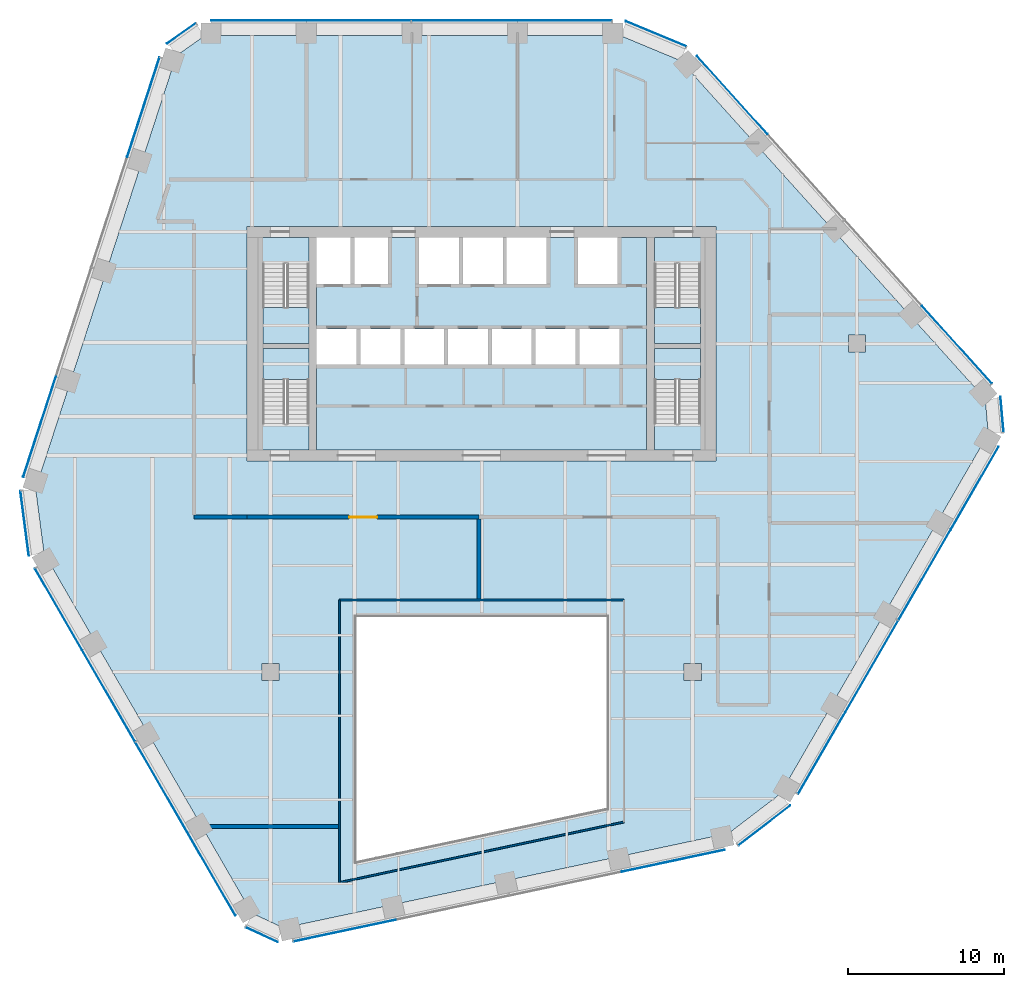
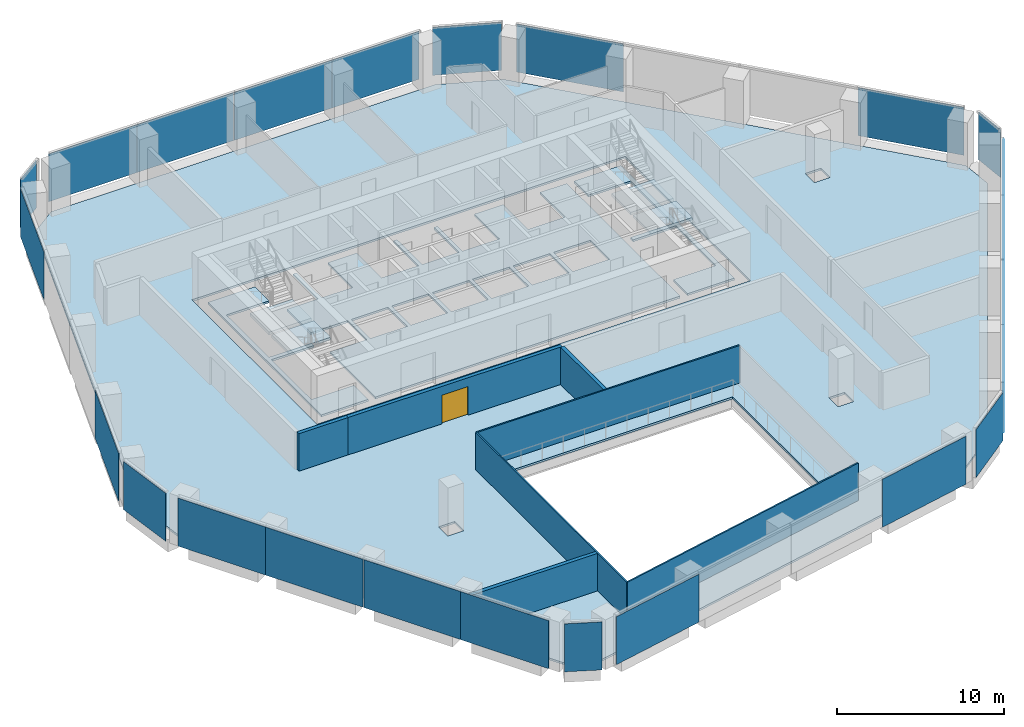
# One storey, part 10 of 16: 24 plates, 8 slabs, 7 walls, 1 door, 1 opening, 16 elements without a shape of their own.
"""IFC4 building model written with IfcOpenShell, lengths in metres."""

from ifc_helpers import new_model, si_unit, direction, frame, frame_2d, origin, origin_2d, place, context, subcontext, project, spatial, polyline, rectangle, outline, extrude, material, layer, layer_set, type_object, element, fill, aggregate, save


model = new_model("IFC4")

# Units and contexts
model_context = context("Model", 3, precision=1e-05, world=origin(), true_north=direction((0.0, 1.0)))
body_context = subcontext(model_context, "Body", "Model", "MODEL_VIEW")
ifc_project = project(units=[si_unit("LENGTHUNIT", "METRE"), si_unit("AREAUNIT", "SQUARE_METRE"), si_unit("VOLUMEUNIT", "CUBIC_METRE"), si_unit("PLANEANGLEUNIT", "RADIAN"), si_unit("MASSUNIT", "GRAM", prefix="KILO")], contexts=[model_context])

# Site, building, storey
site_placement = place(None, origin())
site = spatial("IfcSite", under=ifc_project, at=site_placement, CompositionType="ELEMENT")
building_placement = place(site_placement, origin())
building = spatial("IfcBuilding", under=site, at=building_placement, Name="Isthmus Gate Tower", CompositionType="ELEMENT")
storey_placement = place(building_placement, frame((0.0, 0.0, 192.699951171875)))
storey = spatial("IfcBuildingStorey", under=building, at=storey_placement, Name="L48", CompositionType="ELEMENT", Elevation=192.699951171875)

# Slabs
ifc_material_1 = material(Name="Concrete f'c 40 MPa", Category="concrete")
ifc_layer_1 = layer(ifc_material_1, 0.14990234375)
ifc_layer_set_1 = layer_set([ifc_layer_1], Name="COMPOSITE FLOOR SLAB 150")
slab_type_1 = type_object("IfcSlabType", Name="COMPOSITE FLOOR SLAB 150", PredefinedType="FLOOR", material=ifc_layer_set_1)
slab_1_placement = place(storey_placement, frame((0.0, 0.0, -0.14990234375)))
element("IfcSlab", 1, at=slab_1_placement, inside=storey, type_object=slab_type_1, Name="str-slab-L48-1", PredefinedType="FLOOR", context=body_context, shape_type="SweptSolid", body=[
    extrude(outline(polyline([(12.72802734375, 25.599365234375), (32.21044921875, 3.9619140625), (32.410400390625, 1.736083984375), (19.116455078125, -21.289306640625), (15.8056640625, -23.822509765625), (-12.674072265625, -29.876220703125), (-14.701416015625, -28.936279296875), (-27.995361328125, -5.91064453125), (-28.53369140625, -1.77685546875), (-19.536376953125, 25.9140625), (-17.708740234375, 27.199951171875), (8.87890625, 27.199951171875), (12.72802734375, 25.599365234375)]), holes=[polyline([(-8.0, -10.0), (-8.0, -25.611083984375), (8.0, -22.210205078125), (8.0, -10.0), (-8.0, -10.0)]), polyline([(-14.050048828125, -12.949951171875), (-14.050048828125, -14.050048828125), (-12.949951171875, -14.050048828125), (-12.949951171875, -12.949951171875), (-14.050048828125, -12.949951171875)]), polyline([(14.050048828125, -12.949951171875), (12.949951171875, -12.949951171875), (12.949951171875, -14.050048828125), (14.050048828125, -14.050048828125), (14.050048828125, -12.949951171875)]), polyline([(-15.0, 15.0), (-15.0, 0.0), (15.0, 0.0), (15.0, 15.0), (-15.0, 15.0)]), polyline([(24.550048828125, 6.949951171875), (24.550048828125, 8.050048828125), (23.449951171875, 8.050048828125), (23.449951171875, 6.949951171875), (24.550048828125, 6.949951171875)])]), origin(), (0.0, 0.0, 1.0), 0.14990234375),
])
ifc_material_2 = material(Name="Concrete f'c 40 MPa", Category="concrete")
ifc_layer_2 = layer(ifc_material_2, 0.14990234375)
ifc_layer_set_2 = layer_set([ifc_layer_2], Name="CORE FLOOR SLAB 150")
slab_type_2 = type_object("IfcSlabType", Name="CORE FLOOR SLAB 150", PredefinedType="FLOOR", material=ifc_layer_set_2)
slab_2_placement = place(storey_placement, frame((0.0, 0.0, -0.14990234375)))
element("IfcSlab", 2, at=slab_2_placement, inside=storey, type_object=slab_type_2, Name="L48 core floor", PredefinedType="FLOOR", context=body_context, shape_type="SweptSolid", body=[
    extrude(outline(polyline([(-11.050048828125, 0.699951171875), (-11.050048828125, 2.402099609375), (-14.0, 2.402099609375), (-14.0, 7.199951171875), (-11.050048828125, 7.199951171875), (-11.050048828125, 7.5), (-14.0, 7.5), (-14.0, 12.597900390625), (-11.050048828125, 12.597900390625), (-11.050048828125, 14.300048828125), (-14.300048828125, 14.300048828125), (-14.300048828125, 0.699951171875), (-11.050048828125, 0.699951171875)])), origin(), (0.0, 0.0, 1.0), 0.14990234375),
])
slab_3_placement = place(storey_placement, frame((0.0, 0.0, -0.14990234375)))
element("IfcSlab", 3, at=slab_3_placement, inside=storey, type_object=slab_type_2, Name="L48 core floor", PredefinedType="FLOOR", context=body_context, shape_type="SweptSolid", body=[
    extrude(outline(polyline([(10.550048828125, 14.300048828125), (8.699951171875, 14.300048828125), (8.699951171875, 11.300048828125), (6.14990234375, 11.300048828125), (6.14990234375, 14.300048828125), (4.14990234375, 14.300048828125), (4.14990234375, 11.300048828125), (1.60009765625, 11.300048828125), (1.60009765625, 14.300048828125), (1.35009765625, 14.300048828125), (1.35009765625, 11.300048828125), (-1.199951171875, 11.300048828125), (-1.199951171875, 14.300048828125), (-1.449951171875, 14.300048828125), (-1.449951171875, 11.300048828125), (-4.0, 11.300048828125), (-4.0, 14.300048828125), (-6.0, 14.300048828125), (-6.0, 11.300048828125), (-8.14990234375, 11.300048828125), (-8.14990234375, 14.300048828125), (-8.39990234375, 14.300048828125), (-8.39990234375, 11.300048828125), (-10.550048828125, 11.300048828125), (-10.550048828125, 8.449951171875), (-8.0, 8.449951171875), (-8.0, 6.14990234375), (-10.550048828125, 6.14990234375), (-10.550048828125, 0.699951171875), (10.550048828125, 0.699951171875), (10.550048828125, 14.300048828125)]), holes=[polyline([(-5.199951171875, 8.449951171875), (-5.199951171875, 6.14990234375), (-7.75, 6.14990234375), (-7.75, 8.449951171875), (-5.199951171875, 8.449951171875)]), polyline([(-2.39990234375, 8.449951171875), (-2.39990234375, 6.14990234375), (-4.949951171875, 6.14990234375), (-4.949951171875, 8.449951171875), (-2.39990234375, 8.449951171875)]), polyline([(0.39990234375, 8.449951171875), (0.39990234375, 6.14990234375), (-2.14990234375, 6.14990234375), (-2.14990234375, 8.449951171875), (0.39990234375, 8.449951171875)]), polyline([(3.199951171875, 8.449951171875), (3.199951171875, 6.14990234375), (0.64990234375, 6.14990234375), (0.64990234375, 8.449951171875), (3.199951171875, 8.449951171875)]), polyline([(6.0, 8.449951171875), (6.0, 6.14990234375), (3.449951171875, 6.14990234375), (3.449951171875, 8.449951171875), (6.0, 8.449951171875)]), polyline([(8.800048828125, 8.449951171875), (8.800048828125, 6.14990234375), (6.25, 6.14990234375), (6.25, 8.449951171875), (8.800048828125, 8.449951171875)])]), origin(), (0.0, 0.0, 1.0), 0.14990234375),
])
slab_4_placement = place(storey_placement, frame((0.0, 0.0, -0.14990234375)))
element("IfcSlab", 4, at=slab_4_placement, inside=storey, type_object=slab_type_2, Name="L48 core floor", PredefinedType="FLOOR", context=body_context, shape_type="SweptSolid", body=[
    extrude(outline(polyline([(11.050048828125, 14.300048828125), (11.050048828125, 12.597900390625), (14.0, 12.597900390625), (14.0, 7.5), (11.050048828125, 7.5), (11.050048828125, 7.199951171875), (14.0, 7.199951171875), (14.0, 2.402099609375), (11.050048828125, 2.402099609375), (11.050048828125, 0.699951171875), (14.300048828125, 0.699951171875), (14.300048828125, 14.300048828125), (11.050048828125, 14.300048828125)])), origin(), (0.0, 0.0, 1.0), 0.14990234375),
])

# Curtain wall, plates
ifc_material_3 = material(Name="Aluminium, pale champagne anodised", Category="aluminium")
ifc_layer_3 = layer(ifc_material_3, 0.199951171875)
ifc_layer_set_3 = layer_set([ifc_layer_3], Name="CW-1 UNITISED CURTAIN WALL 200 DEEP")
curtain_wall_type = type_object("IfcCurtainWallType", Name="CW-1 UNITISED CURTAIN WALL 200 DEEP", PredefinedType="NOTDEFINED", material=ifc_layer_set_3)
curtain_wall_1_placement = place(storey_placement, origin())
curtain_wall_1 = element("IfcCurtainWall", 5, at=curtain_wall_1_placement, inside=storey, type_object=curtain_wall_type, Name="CW-1 N L48", PredefinedType="NOTDEFINED")
ifc_material_4 = material(Name="Laminated low-iron glass, pale blue tint", Category="glass")
ifc_layer_4 = layer(ifc_material_4, 0.035888671875)
ifc_layer_set_4 = layer_set([ifc_layer_4], Name="CW-1 CLEAR GLASS LITE 36")
plate_type = type_object("IfcPlateType", Name="CW-1 CLEAR GLASS LITE 36", PredefinedType="CURTAIN_PANEL", material=ifc_layer_set_4)
plate_1_placement = place(storey_placement, frame((5.30859375, 28.181884765625, 0.0), z_axis=(0.0, 0.0, 1.0), x_axis=(-1.0, 0.0, 0.0)))
plate_1 = element("IfcPlate", 6, at=plate_1_placement, type_object=plate_type, Name="CW-1 glass lite", PredefinedType="CURTAIN_PANEL", context=body_context, shape_type="SweptSolid", body=[
    extrude(rectangle(XDim=6.0400390625, YDim=0.035888671875, at=origin_2d()), origin(), (0.0, 0.0, 1.0), 3.510009765625),
])
plate_2_placement = place(storey_placement, frame((-1.086669921875, 28.181884765625, 0.0), z_axis=(0.0, 0.0, 1.0), x_axis=(-1.0, 0.0, 0.0)))
plate_2 = element("IfcPlate", 7, at=plate_2_placement, type_object=plate_type, Name="CW-1 glass lite", PredefinedType="CURTAIN_PANEL", context=body_context, shape_type="SweptSolid", body=[
    extrude(rectangle(XDim=6.750244140625, YDim=0.035888671875, at=origin_2d()), origin(), (0.0, 0.0, 1.0), 3.510009765625),
])
plate_3_placement = place(storey_placement, frame((-7.86669921875, 28.181884765625, 0.0), z_axis=(0.0, 0.0, 1.0), x_axis=(-1.0, 0.0, 0.0)))
plate_3 = element("IfcPlate", 8, at=plate_3_placement, type_object=plate_type, Name="CW-1 glass lite", PredefinedType="CURTAIN_PANEL", context=body_context, shape_type="SweptSolid", body=[
    extrude(rectangle(XDim=6.690185546875, YDim=0.035888671875, at=origin_2d()), origin(), (0.0, 0.0, 1.0), 3.510009765625),
])
plate_4_placement = place(storey_placement, frame((-14.261962890625, 28.181884765625, 0.0), z_axis=(0.0, 0.0, 1.0), x_axis=(-1.0, 0.0, 0.0)))
plate_4 = element("IfcPlate", 9, at=plate_4_placement, type_object=plate_type, Name="CW-1 glass lite", PredefinedType="CURTAIN_PANEL", context=body_context, shape_type="SweptSolid", body=[
    extrude(rectangle(XDim=6.10009765625, YDim=0.035888671875, at=origin_2d()), origin(), (0.0, 0.0, 1.0), 3.510009765625),
])
aggregate(curtain_wall_1, [plate_1, plate_2, plate_3, plate_4])

# Curtain wall, plate
curtain_wall_2_placement = place(storey_placement, origin())
curtain_wall_2 = element("IfcCurtainWall", 10, at=curtain_wall_2_placement, inside=storey, type_object=curtain_wall_type, Name="CW-1 N-NW L48", PredefinedType="NOTDEFINED")
plate_5_placement = place(storey_placement, frame((-19.2119140625, 27.343017578125, 0.0), z_axis=(0.0, 0.0, 1.0), x_axis=(-0.81785959165, -0.57541783805, 0.0)))
plate_5 = element("IfcPlate", 11, at=plate_5_placement, type_object=plate_type, Name="CW-1 glass lite", PredefinedType="CURTAIN_PANEL", context=body_context, shape_type="SweptSolid", body=[
    extrude(rectangle(XDim=2.258544921875, YDim=0.035888671875, at=origin_2d()), origin(), (0.0, 0.0, 1.0), 3.510009765625),
])
aggregate(curtain_wall_2, [plate_5])

# Curtain wall, plates
curtain_wall_3_placement = place(storey_placement, origin())
curtain_wall_3 = element("IfcCurtainWall", 12, at=curtain_wall_3_placement, inside=storey, type_object=curtain_wall_type, Name="CW-1 NW L48", PredefinedType="NOTDEFINED")
plate_6_placement = place(storey_placement, frame((-21.6396484375, 22.619140625, 0.0), z_axis=(0.0, 0.0, 1.0), x_axis=(-0.309016994375, -0.951056516295, 0.0)))
plate_6 = element("IfcPlate", 13, at=plate_6_placement, type_object=plate_type, Name="CW-1 glass lite", PredefinedType="CURTAIN_PANEL", context=body_context, shape_type="SweptSolid", body=[
    extrude(rectangle(XDim=6.680908203125, YDim=0.035888671875, at=origin_2d()), origin(), (0.0, 0.0, 1.0), 3.510009765625),
])
plate_7_placement = place(storey_placement, frame((-28.281005859375, 2.178466796875, 0.0), z_axis=(0.0, 0.0, 1.0), x_axis=(-0.309016994375, -0.951056516295, 0.0)))
plate_7 = element("IfcPlate", 14, at=plate_7_placement, type_object=plate_type, Name="CW-1 glass lite", PredefinedType="CURTAIN_PANEL", context=body_context, shape_type="SweptSolid", body=[
    extrude(rectangle(XDim=6.74072265625, YDim=0.035888671875, at=origin_2d()), origin(), (0.0, 0.0, 1.0), 3.510009765625),
])
aggregate(curtain_wall_3, [plate_6, plate_7])

# Curtain wall, plate
curtain_wall_4_placement = place(storey_placement, origin())
curtain_wall_4 = element("IfcCurtainWall", 15, at=curtain_wall_4_placement, inside=storey, type_object=curtain_wall_type, Name="CW-1 NW-SW L48", PredefinedType="NOTDEFINED")
plate_8_placement = place(storey_placement, frame((-29.234619140625, -3.9990234375, 0.0), z_axis=(0.0, 0.0, 1.0), x_axis=(0.129164534, -0.991623175988, 0.0)))
plate_8 = element("IfcPlate", 16, at=plate_8_placement, type_object=plate_type, Name="CW-1 glass lite", PredefinedType="CURTAIN_PANEL", context=body_context, shape_type="SweptSolid", body=[
    extrude(rectangle(XDim=4.181396484375, YDim=0.035888671875, at=origin_2d()), origin(), (0.0, 0.0, 1.0), 3.510009765625),
])
aggregate(curtain_wall_4, [plate_8])

# Curtain wall, plates
curtain_wall_5_placement = place(storey_placement, origin())
curtain_wall_5 = element("IfcCurtainWall", 17, at=curtain_wall_5_placement, inside=storey, type_object=curtain_wall_type, Name="CW-1 SW L48", PredefinedType="NOTDEFINED")
plate_9_placement = place(storey_placement, frame((-27.060546875, -9.49365234375, 0.0), z_axis=(0.0, 0.0, 1.0), x_axis=(0.5, -0.866025403784, 0.0)))
plate_9 = element("IfcPlate", 18, at=plate_9_placement, type_object=plate_type, Name="CW-1 glass lite", PredefinedType="CURTAIN_PANEL", context=body_context, shape_type="SweptSolid", body=[
    extrude(rectangle(XDim=6.0400390625, YDim=0.035888671875, at=origin_2d()), origin(), (0.0, 0.0, 1.0), 3.510009765625),
])
plate_10_placement = place(storey_placement, frame((-23.863037109375, -15.031982421875, 0.0), z_axis=(0.0, 0.0, 1.0), x_axis=(0.5, -0.866025403784, 0.0)))
plate_10 = element("IfcPlate", 19, at=plate_10_placement, type_object=plate_type, Name="CW-1 glass lite", PredefinedType="CURTAIN_PANEL", context=body_context, shape_type="SweptSolid", body=[
    extrude(rectangle(XDim=6.750244140625, YDim=0.035888671875, at=origin_2d()), origin(), (0.0, 0.0, 1.0), 3.510009765625),
])
plate_11_placement = place(storey_placement, frame((-20.472900390625, -20.90380859375, 0.0), z_axis=(0.0, 0.0, 1.0), x_axis=(0.5, -0.866025403784, 0.0)))
plate_11 = element("IfcPlate", 20, at=plate_11_placement, type_object=plate_type, Name="CW-1 glass lite", PredefinedType="CURTAIN_PANEL", context=body_context, shape_type="SweptSolid", body=[
    extrude(rectangle(XDim=6.690185546875, YDim=0.035888671875, at=origin_2d()), origin(), (0.0, 0.0, 1.0), 3.510009765625),
])
plate_12_placement = place(storey_placement, frame((-17.275390625, -26.442138671875, 0.0), z_axis=(0.0, 0.0, 1.0), x_axis=(0.5, -0.866025403784, 0.0)))
plate_12 = element("IfcPlate", 21, at=plate_12_placement, type_object=plate_type, Name="CW-1 glass lite", PredefinedType="CURTAIN_PANEL", context=body_context, shape_type="SweptSolid", body=[
    extrude(rectangle(XDim=6.10009765625, YDim=0.035888671875, at=origin_2d()), origin(), (0.0, 0.0, 1.0), 3.510009765625),
])
aggregate(curtain_wall_5, [plate_9, plate_10, plate_11, plate_12])

# Curtain wall, plate
curtain_wall_6_placement = place(storey_placement, origin())
curtain_wall_6 = element("IfcCurtainWall", 22, at=curtain_wall_6_placement, inside=storey, type_object=curtain_wall_type, Name="CW-1 SW-S L48", PredefinedType="NOTDEFINED")
plate_13_placement = place(storey_placement, frame((-14.07373046875, -30.3095703125, 0.0), z_axis=(0.0, 0.0, 1.0), x_axis=(0.907256261367, -0.420578264073, 0.0)))
plate_13 = element("IfcPlate", 23, at=plate_13_placement, type_object=plate_type, Name="CW-1 glass lite", PredefinedType="CURTAIN_PANEL", context=body_context, shape_type="SweptSolid", body=[
    extrude(rectangle(XDim=2.258544921875, YDim=0.035888671875, at=origin_2d()), origin(), (0.0, 0.0, 1.0), 3.510009765625),
])
aggregate(curtain_wall_6, [plate_13])

# Curtain wall, plates
curtain_wall_7_placement = place(storey_placement, origin())
curtain_wall_7 = element("IfcCurtainWall", 24, at=curtain_wall_7_placement, inside=storey, type_object=curtain_wall_type, Name="CW-1 S L48", PredefinedType="NOTDEFINED")
plate_14_placement = place(storey_placement, frame((-8.768798828125, -30.050048828125, 0.0), z_axis=(0.0, 0.0, 1.0), x_axis=(0.978147600734, 0.207911690818, 0.0)))
plate_14 = element("IfcPlate", 25, at=plate_14_placement, type_object=plate_type, Name="CW-1 glass lite", PredefinedType="CURTAIN_PANEL", context=body_context, shape_type="SweptSolid", body=[
    extrude(rectangle(XDim=6.680908203125, YDim=0.035888671875, at=origin_2d()), origin(), (0.0, 0.0, 1.0), 3.510009765625),
])
plate_15_placement = place(storey_placement, frame((12.25390625, -25.58154296875, 0.0), z_axis=(0.0, 0.0, 1.0), x_axis=(0.978147600734, 0.207911690818, 0.0)))
plate_15 = element("IfcPlate", 26, at=plate_15_placement, type_object=plate_type, Name="CW-1 glass lite", PredefinedType="CURTAIN_PANEL", context=body_context, shape_type="SweptSolid", body=[
    extrude(rectangle(XDim=6.74072265625, YDim=0.035888671875, at=origin_2d()), origin(), (0.0, 0.0, 1.0), 3.510009765625),
])
aggregate(curtain_wall_7, [plate_14, plate_15])

# Curtain wall, plate
curtain_wall_8_placement = place(storey_placement, origin())
curtain_wall_8 = element("IfcCurtainWall", 27, at=curtain_wall_8_placement, inside=storey, type_object=curtain_wall_type, Name="CW-1 S-SE L48", PredefinedType="NOTDEFINED")
plate_16_placement = place(storey_placement, frame((18.08056640625, -23.318359375, 0.0), z_axis=(0.0, 0.0, 1.0), x_axis=(0.794188594387, 0.607671355706, 0.0)))
plate_16 = element("IfcPlate", 28, at=plate_16_placement, type_object=plate_type, Name="CW-1 glass lite", PredefinedType="CURTAIN_PANEL", context=body_context, shape_type="SweptSolid", body=[
    extrude(rectangle(XDim=4.181396484375, YDim=0.035888671875, at=origin_2d()), origin(), (0.0, 0.0, 1.0), 3.510009765625),
])
aggregate(curtain_wall_8, [plate_16])

# Curtain wall, plates
curtain_wall_9_placement = place(storey_placement, origin())
curtain_wall_9 = element("IfcCurtainWall", 29, at=curtain_wall_9_placement, inside=storey, type_object=curtain_wall_type, Name="CW-1 SE L48", PredefinedType="NOTDEFINED")
plate_17_placement = place(storey_placement, frame((21.752197265625, -18.688232421875, 0.0), z_axis=(0.0, 0.0, 1.0), x_axis=(0.5, 0.866025403784, 0.0)))
plate_17 = element("IfcPlate", 30, at=plate_17_placement, type_object=plate_type, Name="CW-1 glass lite", PredefinedType="CURTAIN_PANEL", context=body_context, shape_type="SweptSolid", body=[
    extrude(rectangle(XDim=6.0400390625, YDim=0.035888671875, at=origin_2d()), origin(), (0.0, 0.0, 1.0), 3.510009765625),
])
plate_18_placement = place(storey_placement, frame((24.94970703125, -13.14990234375, 0.0), z_axis=(0.0, 0.0, 1.0), x_axis=(0.5, 0.866025403784, 0.0)))
plate_18 = element("IfcPlate", 31, at=plate_18_placement, type_object=plate_type, Name="CW-1 glass lite", PredefinedType="CURTAIN_PANEL", context=body_context, shape_type="SweptSolid", body=[
    extrude(rectangle(XDim=6.750244140625, YDim=0.035888671875, at=origin_2d()), origin(), (0.0, 0.0, 1.0), 3.510009765625),
])
plate_19_placement = place(storey_placement, frame((28.339599609375, -7.278076171875, 0.0), z_axis=(0.0, 0.0, 1.0), x_axis=(0.5, 0.866025403784, 0.0)))
plate_19 = element("IfcPlate", 32, at=plate_19_placement, type_object=plate_type, Name="CW-1 glass lite", PredefinedType="CURTAIN_PANEL", context=body_context, shape_type="SweptSolid", body=[
    extrude(rectangle(XDim=6.690185546875, YDim=0.035888671875, at=origin_2d()), origin(), (0.0, 0.0, 1.0), 3.510009765625),
])
plate_20_placement = place(storey_placement, frame((31.537353515625, -1.73974609375, 0.0), z_axis=(0.0, 0.0, 1.0), x_axis=(0.5, 0.866025403784, 0.0)))
plate_20 = element("IfcPlate", 33, at=plate_20_placement, type_object=plate_type, Name="CW-1 glass lite", PredefinedType="CURTAIN_PANEL", context=body_context, shape_type="SweptSolid", body=[
    extrude(rectangle(XDim=6.10009765625, YDim=0.035888671875, at=origin_2d()), origin(), (0.0, 0.0, 1.0), 3.510009765625),
])
aggregate(curtain_wall_9, [plate_17, plate_18, plate_19, plate_20])

# Curtain wall, plate
curtain_wall_10_placement = place(storey_placement, origin())
curtain_wall_10 = element("IfcCurtainWall", 34, at=curtain_wall_10_placement, inside=storey, type_object=curtain_wall_type, Name="CW-1 SE-NE L48", PredefinedType="NOTDEFINED")
plate_21_placement = place(storey_placement, frame((33.285888671875, 2.966552734375, 0.0), z_axis=(0.0, 0.0, 1.0), x_axis=(-0.089396669717, 0.995996102123, 0.0)))
plate_21 = element("IfcPlate", 35, at=plate_21_placement, type_object=plate_type, Name="CW-1 glass lite", PredefinedType="CURTAIN_PANEL", context=body_context, shape_type="SweptSolid", body=[
    extrude(rectangle(XDim=2.258544921875, YDim=0.035888671875, at=origin_2d()), origin(), (0.0, 0.0, 1.0), 3.510009765625),
])
aggregate(curtain_wall_10, [plate_21])

# Curtain wall, plates
curtain_wall_11_placement = place(storey_placement, origin())
curtain_wall_11 = element("IfcCurtainWall", 36, at=curtain_wall_11_placement, inside=storey, type_object=curtain_wall_type, Name="CW-1 NE L48", PredefinedType="NOTDEFINED")
plate_22_placement = place(storey_placement, frame((30.408447265625, 7.430908203125, 0.0), z_axis=(0.0, 0.0, 1.0), x_axis=(-0.669130606359, 0.743144825477, 0.0)))
plate_22 = element("IfcPlate", 37, at=plate_22_placement, type_object=plate_type, Name="CW-1 glass lite", PredefinedType="CURTAIN_PANEL", context=body_context, shape_type="SweptSolid", body=[
    extrude(rectangle(XDim=6.680908203125, YDim=0.035888671875, at=origin_2d()), origin(), (0.0, 0.0, 1.0), 3.510009765625),
])
plate_23_placement = place(storey_placement, frame((16.02734375, 23.40283203125, 0.0), z_axis=(0.0, 0.0, 1.0), x_axis=(-0.669130606359, 0.743144825477, 0.0)))
plate_23 = element("IfcPlate", 38, at=plate_23_placement, type_object=plate_type, Name="CW-1 glass lite", PredefinedType="CURTAIN_PANEL", context=body_context, shape_type="SweptSolid", body=[
    extrude(rectangle(XDim=6.74072265625, YDim=0.035888671875, at=origin_2d()), origin(), (0.0, 0.0, 1.0), 3.510009765625),
])
aggregate(curtain_wall_11, [plate_22, plate_23])

# Curtain wall, plate
curtain_wall_12_placement = place(storey_placement, origin())
curtain_wall_12 = element("IfcCurtainWall", 39, at=curtain_wall_12_placement, inside=storey, type_object=curtain_wall_type, Name="CW-1 NE-N L48", PredefinedType="NOTDEFINED")
plate_24_placement = place(storey_placement, frame((11.154052734375, 27.3173828125, 0.0), z_axis=(0.0, 0.0, 1.0), x_axis=(-0.923353128387, 0.383951820282, 0.0)))
plate_24 = element("IfcPlate", 40, at=plate_24_placement, type_object=plate_type, Name="CW-1 glass lite", PredefinedType="CURTAIN_PANEL", context=body_context, shape_type="SweptSolid", body=[
    extrude(rectangle(XDim=4.181396484375, YDim=0.035888671875, at=origin_2d()), origin(), (0.0, 0.0, 1.0), 3.510009765625),
])
aggregate(curtain_wall_12, [plate_24])

# Stair, slab
ifc_material_5 = material(Name="Concrete f'c 40 MPa", Category="concrete")
stair_type = type_object("IfcStairType", Name="CORE STAIR 22 RISERS", PredefinedType="HALF_TURN_STAIR", material=ifc_material_5)
stair_1_placement = place(storey_placement, origin())
stair_1 = element("IfcStair", 41, at=stair_1_placement, inside=storey, type_object=stair_type, Name="L48 Exit Stair 1", PredefinedType="HALF_TURN_STAIR")
ifc_material_6 = material(Name="Concrete f'c 40 MPa", Category="concrete")
ifc_layer_5 = layer(ifc_material_6, 0.199951171875)
ifc_layer_set_5 = layer_set([ifc_layer_5])
slab_type_3 = type_object("IfcSlabType", Name="STAIR LANDING RC 200", PredefinedType="LANDING", material=ifc_layer_set_5)
slab_5_placement = place(storey_placement, frame((0.0, 0.0, 1.625)))
slab_5 = element("IfcSlab", 42, at=slab_5_placement, type_object=slab_type_3, Name="ST1 landing 1", PredefinedType="LANDING", context=body_context, shape_type="SweptSolid", body=[
    extrude(outline(polyline([(-14.0, 9.800048828125), (-14.0, 7.5), (-11.050048828125, 7.5), (-11.050048828125, 9.800048828125), (-14.0, 9.800048828125)])), origin(), (0.0, 0.0, 1.0), 0.199951171875),
])
aggregate(stair_1, [slab_5])

stair_2_placement = place(storey_placement, origin())
stair_2 = element("IfcStair", 43, at=stair_2_placement, inside=storey, type_object=stair_type, Name="L48 Exit Stair 2", PredefinedType="HALF_TURN_STAIR")
slab_6_placement = place(storey_placement, frame((0.0, 0.0, 1.625)))
slab_6 = element("IfcSlab", 44, at=slab_6_placement, type_object=slab_type_3, Name="ST2 landing 1", PredefinedType="LANDING", context=body_context, shape_type="SweptSolid", body=[
    extrude(outline(polyline([(11.050048828125, 9.800048828125), (11.050048828125, 7.5), (14.0, 7.5), (14.0, 9.800048828125), (11.050048828125, 9.800048828125)])), origin(), (0.0, 0.0, 1.0), 0.199951171875),
])
aggregate(stair_2, [slab_6])

stair_3_placement = place(storey_placement, origin())
stair_3 = element("IfcStair", 45, at=stair_3_placement, inside=storey, type_object=stair_type, Name="L48 Exit Stair 7", PredefinedType="HALF_TURN_STAIR")
slab_7_placement = place(storey_placement, frame((0.0, 0.0, 1.625)))
slab_7 = element("IfcSlab", 46, at=slab_7_placement, type_object=slab_type_3, Name="ST7 landing 1", PredefinedType="LANDING", context=body_context, shape_type="SweptSolid", body=[
    extrude(outline(polyline([(-11.050048828125, 5.199951171875), (-11.050048828125, 7.199951171875), (-14.0, 7.199951171875), (-14.0, 5.199951171875), (-11.050048828125, 5.199951171875)])), origin(), (0.0, 0.0, 1.0), 0.199951171875),
])
aggregate(stair_3, [slab_7])

stair_4_placement = place(storey_placement, origin())
stair_4 = element("IfcStair", 47, at=stair_4_placement, inside=storey, type_object=stair_type, Name="L48 Exit Stair 8", PredefinedType="HALF_TURN_STAIR")
slab_8_placement = place(storey_placement, frame((0.0, 0.0, 1.625)))
slab_8 = element("IfcSlab", 48, at=slab_8_placement, type_object=slab_type_3, Name="ST8 landing 1", PredefinedType="LANDING", context=body_context, shape_type="SweptSolid", body=[
    extrude(outline(polyline([(14.0, 5.199951171875), (14.0, 7.199951171875), (11.050048828125, 7.199951171875), (11.050048828125, 5.199951171875), (14.0, 5.199951171875)])), origin(), (0.0, 0.0, 1.0), 0.199951171875),
])
aggregate(stair_4, [slab_8])

# Wall, opening, door
ifc_material_7 = material(Name="Double-leaf acoustic stud wall, fire-rated", Category="gypsum")
ifc_layer_6 = layer(ifc_material_7, 0.25)
ifc_layer_set_6 = layer_set([ifc_layer_6], Name="ACOUSTIC WALL 250 60 MIN")
wall_type_1 = type_object("IfcWallType", Name="ACOUSTIC WALL 250 60 MIN", PredefinedType="PARTITIONING", material=ifc_layer_set_6)
wall_1_placement = place(storey_placement, frame((-0.166015625, -3.60009765625, 0.0), z_axis=(0.0, 0.0, 1.0), x_axis=(-1.0, 0.0, 0.0)))
wall_1 = element("IfcWall", 49, at=wall_1_placement, inside=storey, type_object=wall_type_1, Name="L48 Acoustic Wall 250 60 Min", PredefinedType="PARTITIONING", context=body_context, shape_type="SweptSolid", body=[
    extrude(rectangle(XDim=14.833984375, YDim=0.25, at=frame_2d((7.4169921875, 0.0))), origin(), (0.0, 0.0, 1.0), 2.7412109375),
])
opening_placement = place(wall_1_placement, frame((6.51708984375, 0.0, 0.0)))
opening = element("IfcOpeningElement", 50, at=opening_placement, cuts=wall_1, Name="Opening DT-T4C-07", PredefinedType="OPENING", context=body_context, shape_type="SweptSolid", body=[
    extrude(rectangle(XDim=1.800048828125, YDim=2.10009765625, at=frame_2d((0.89990234375, 1.050048828125))), frame((0.0, 0.135009765625, 0.0), z_axis=(0.0, -1.0, 0.0), x_axis=(1.0, 0.0, 0.0)), (0.0, 0.0, 1.0), 0.27001953125),
])
ifc_material_8 = material(Name="Solid core timber door leaf, fire-rated", Category="wood")
door_type = type_object("IfcDoorType", Name="FIRE DOOR ACOUSTIC ROOM 1800 X 2100 60 MIN", OperationType="DOUBLE_DOOR_DOUBLE_SWING", PredefinedType="DOOR", material=ifc_material_8)
door_placement = place(opening_placement, origin())
door = element("IfcDoor", 51, at=door_placement, inside=storey, type_object=door_type, Name="L48 room door", OperationType="DOUBLE_DOOR_DOUBLE_SWING", OverallHeight=2.10009765625, OverallWidth=1.800048828125, PredefinedType="DOOR", context=body_context, shape_type="SweptSolid", body=[
    extrude(rectangle(XDim=1.800048828125, YDim=2.10009765625, at=frame_2d((0.89990234375, 1.050048828125))), frame((0.0, 0.02490234375, 0.0), z_axis=(0.0, -1.0, 0.0), x_axis=(1.0, 0.0, 0.0)), (0.0, 0.0, 1.0), 0.050048828125),
])
fill(opening, door)

# Walls
wall_2_placement = place(storey_placement, frame((-15.0, -3.60009765625, 0.0), z_axis=(0.0, 0.0, 1.0), x_axis=(-1.0, 0.0, 0.0)))
element("IfcWall", 52, at=wall_2_placement, inside=storey, type_object=wall_type_1, Name="L48 Acoustic Wall 250 60 Min", PredefinedType="PARTITIONING", context=body_context, shape_type="SweptSolid", body=[
    extrude(rectangle(XDim=3.39990234375, YDim=0.25, at=frame_2d((1.699951171875, 0.0))), origin(), (0.0, 0.0, 1.0), 2.7412109375),
])
wall_3_placement = place(storey_placement, frame((-18.137939453125, -23.385009765625, 0.0), z_axis=(0.0, 0.0, 1.0), x_axis=(1.0, 0.0, 0.0)))
element("IfcWall", 53, at=wall_3_placement, inside=storey, type_object=wall_type_1, Name="L48 Acoustic Wall 250 60 Min", PredefinedType="PARTITIONING", context=body_context, shape_type="SweptSolid", body=[
    extrude(rectangle(XDim=8.988037109375, YDim=0.25, at=frame_2d((4.494140625, 0.0))), origin(), (0.0, 0.0, 1.0), 2.7412109375),
])
wall_4_placement = place(storey_placement, frame((-0.166015625, -8.85009765625, 0.0), z_axis=(0.0, 0.0, 1.0), x_axis=(0.0, 1.0, 0.0)))
element("IfcWall", 54, at=wall_4_placement, inside=storey, type_object=wall_type_1, Name="L48 Acoustic Wall 250 60 Min", PredefinedType="PARTITIONING", context=body_context, shape_type="SweptSolid", body=[
    extrude(rectangle(XDim=5.125, YDim=0.25, at=frame_2d((2.5625, 0.0))), origin(), (0.0, 0.0, 1.0), 2.7412109375),
])
ifc_material_9 = material(Name="Fire-rated laminated glass in steel frame", Category="steel")
ifc_layer_7 = layer(ifc_material_9, 0.10009765625)
ifc_layer_set_7 = layer_set([ifc_layer_7], Name="ATRIUM SCREEN GLAZED WALL 100 120 MIN")
wall_type_2 = type_object("IfcWallType", Name="ATRIUM SCREEN GLAZED WALL 100 120 MIN", PredefinedType="PARTITIONING", material=ifc_layer_set_7)
wall_5_placement = place(storey_placement, frame((-9.10009765625, -8.89990234375, 0.0), z_axis=(0.0, 0.0, 1.0), x_axis=(1.0, 0.0, 0.0)))
element("IfcWall", 55, at=wall_5_placement, inside=storey, type_object=wall_type_2, Name="L48 atrium screen", PredefinedType="PARTITIONING", context=body_context, shape_type="SweptSolid", body=[
    extrude(rectangle(XDim=18.2001953125, YDim=0.10009765625, at=frame_2d((9.10009765625, 0.0))), origin(), (0.0, 0.0, 1.0), 2.7412109375),
])
wall_6_placement = place(storey_placement, frame((9.10009765625, -23.100830078125, 0.0), z_axis=(0.0, 0.0, 1.0), x_axis=(-0.978146710971, -0.207915876778, 0.0)))
element("IfcWall", 56, at=wall_6_placement, inside=storey, type_object=wall_type_2, Name="L48 atrium screen", PredefinedType="PARTITIONING", context=body_context, shape_type="SweptSolid", body=[
    extrude(rectangle(XDim=18.60693359375, YDim=0.10009765625, at=frame_2d((9.303466796875, 0.0))), origin(), (0.0, 0.0, 1.0), 2.7412109375),
])
wall_7_placement = place(storey_placement, frame((-9.10009765625, -26.969482421875, 0.0), z_axis=(0.0, 0.0, 1.0), x_axis=(0.0, 1.0, 0.0)))
element("IfcWall", 57, at=wall_7_placement, inside=storey, type_object=wall_type_2, Name="L48 atrium screen", PredefinedType="PARTITIONING", context=body_context, shape_type="SweptSolid", body=[
    extrude(rectangle(XDim=18.069580078125, YDim=0.10009765625, at=frame_2d((9.03466796875, 0.0))), origin(), (0.0, 0.0, 1.0), 2.7412109375),
])

save(model, "model.ifc")
